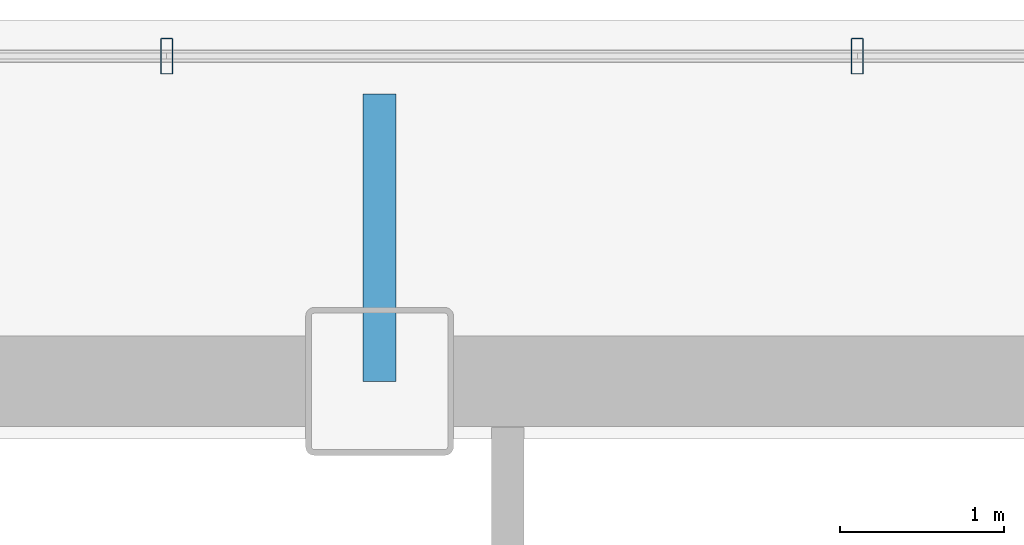
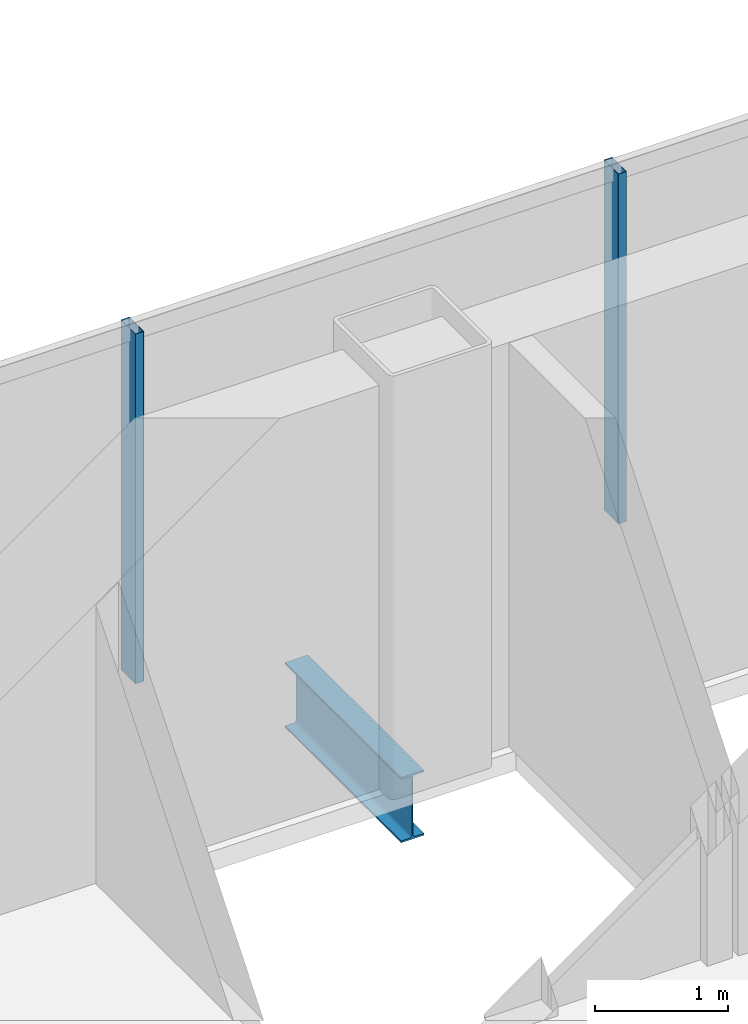
# One storey, part 12 of 22: 2 members, 1 beam, 1 element without a shape of its own.
"""IFC4 building model written with IfcOpenShell, lengths in metres."""

from ifc_helpers import new_model, si_unit, direction, frame, origin, origin_2d, place, context, subcontext, project, spatial, hollow_rectangle, i_section, extrude, material, material_profile, profile_set, type_object, element, aggregate, save


model = new_model("IFC4")

# Units and contexts
model_context = context("Model", 3, precision=1e-05, world=origin(), true_north=direction((0.0, 1.0)))
body_context = subcontext(model_context, "Body", "Model", "MODEL_VIEW")
ifc_project = project(units=[si_unit("LENGTHUNIT", "METRE"), si_unit("AREAUNIT", "SQUARE_METRE"), si_unit("VOLUMEUNIT", "CUBIC_METRE"), si_unit("PLANEANGLEUNIT", "RADIAN"), si_unit("MASSUNIT", "GRAM", prefix="KILO")], contexts=[model_context])

# Site, building, storey
site_placement = place(None, origin())
site = spatial("IfcSite", under=ifc_project, at=site_placement, CompositionType="ELEMENT")
building_placement = place(site_placement, origin())
building = spatial("IfcBuilding", under=site, at=building_placement, Name="Noeulbin Bourse Tower", CompositionType="ELEMENT")
storey_placement = place(building_placement, frame((0.0, 0.0, 134.39990234375)))
storey = spatial("IfcBuildingStorey", under=building, at=storey_placement, Name="L33", CompositionType="ELEMENT", Elevation=134.39990234375)

# Beam
ifc_material_1 = material(Name="Steel S355", Category="steel")
ifc_material_profile_1 = material_profile(ifc_material_1, i_section(OverallWidth=0.199951171875, OverallDepth=0.60009765625, WebThickness=0.010986328125, FlangeThickness=0.01708984375, FilletRadius=0.02197265625, at=origin_2d()), Name="H-600x200x11x17", Category="LoadBearing")
ifc_profile_set_1 = profile_set([ifc_material_profile_1], Name="Steel S355")
beam_type = type_object("IfcBeamType", Name="BM-GRD-600", PredefinedType="USERDEFINED", material=ifc_profile_set_1)
beam_placement = place(storey_placement, frame((31.0, 38.300048828125, -0.47998046875), z_axis=(0.0, 1.0, 0.0), x_axis=(-1.0, 0.0, 0.0)))
element("IfcBeam", 1, at=beam_placement, inside=storey, type_object=beam_type, Name="Tower Primary Girder NS L33-3.4", ObjectType="GIRDER", PredefinedType="USERDEFINED", context=body_context, shape_type="SweptSolid", body=[
    extrude(i_section(OverallWidth=0.199951171875, OverallDepth=0.60009765625, WebThickness=0.010986328125, FlangeThickness=0.01708984375, FilletRadius=0.02197265625, at=origin_2d()), origin(), (0.0, 0.0, 1.0), 1.75),
])

# Curtain wall, members
ifc_material_2 = material(Name="Dark Tinted Triple Glazing", Category="glass")
curtain_wall_type = type_object("IfcCurtainWallType", Name="CW-SYS-3", PredefinedType="NOTDEFINED", material=ifc_material_2)
curtain_wall_placement = place(storey_placement, origin())
curtain_wall = element("IfcCurtainWall", 2, at=curtain_wall_placement, inside=storey, type_object=curtain_wall_type, Name="Unitised Curtain Wall CW-L33-N", PredefinedType="NOTDEFINED")
ifc_material_3 = material(Name="Anodised Aluminium 6063-T6", Category="aluminium")
ifc_material_profile_2 = material_profile(ifc_material_3, hollow_rectangle(XDim=0.074951171875, YDim=0.219970703125, WallThickness=0.0048828125, InnerFilletRadius=0.00244140625, OuterFilletRadius=0.0048828125, at=origin_2d()), Name="ALU-MULL-75x220x5", Category="LoadBearing")
ifc_profile_set_2 = profile_set([ifc_material_profile_2], Name="Anodised Aluminium 6063-T6")
member_type = type_object("IfcMemberType", Name="CW-SYS-3-MUL", PredefinedType="MULLION", material=ifc_profile_set_2)
member_1_placement = place(storey_placement, frame((29.7041015625, 40.280029296875, -0.02001953125), z_axis=(0.0, 0.0, 1.0), x_axis=(1.0, 0.0, 0.0)))
member_1 = element("IfcMember", 3, at=member_1_placement, type_object=member_type, Name="Curtain Wall Mullion CW-L33-N-M06", PredefinedType="MULLION", context=body_context, shape_type="SweptSolid", body=[
    extrude(hollow_rectangle(XDim=0.074951171875, YDim=0.219970703125, WallThickness=0.0048828125, InnerFilletRadius=0.00244140625, OuterFilletRadius=0.0048828125, at=origin_2d()), origin(), (0.0, 0.0, 1.0), 3.22021484375),
])
member_2_placement = place(storey_placement, frame((33.907958984375, 40.280029296875, -0.02001953125), z_axis=(0.0, 0.0, 1.0), x_axis=(1.0, 0.0, 0.0)))
member_2 = element("IfcMember", 4, at=member_2_placement, type_object=member_type, Name="Curtain Wall Mullion CW-L33-N-M07", PredefinedType="MULLION", context=body_context, shape_type="SweptSolid", body=[
    extrude(hollow_rectangle(XDim=0.074951171875, YDim=0.219970703125, WallThickness=0.0048828125, InnerFilletRadius=0.00244140625, OuterFilletRadius=0.0048828125, at=origin_2d()), origin(), (0.0, 0.0, 1.0), 3.22021484375),
])
aggregate(curtain_wall, [member_1, member_2])

save(model, "model.ifc")
